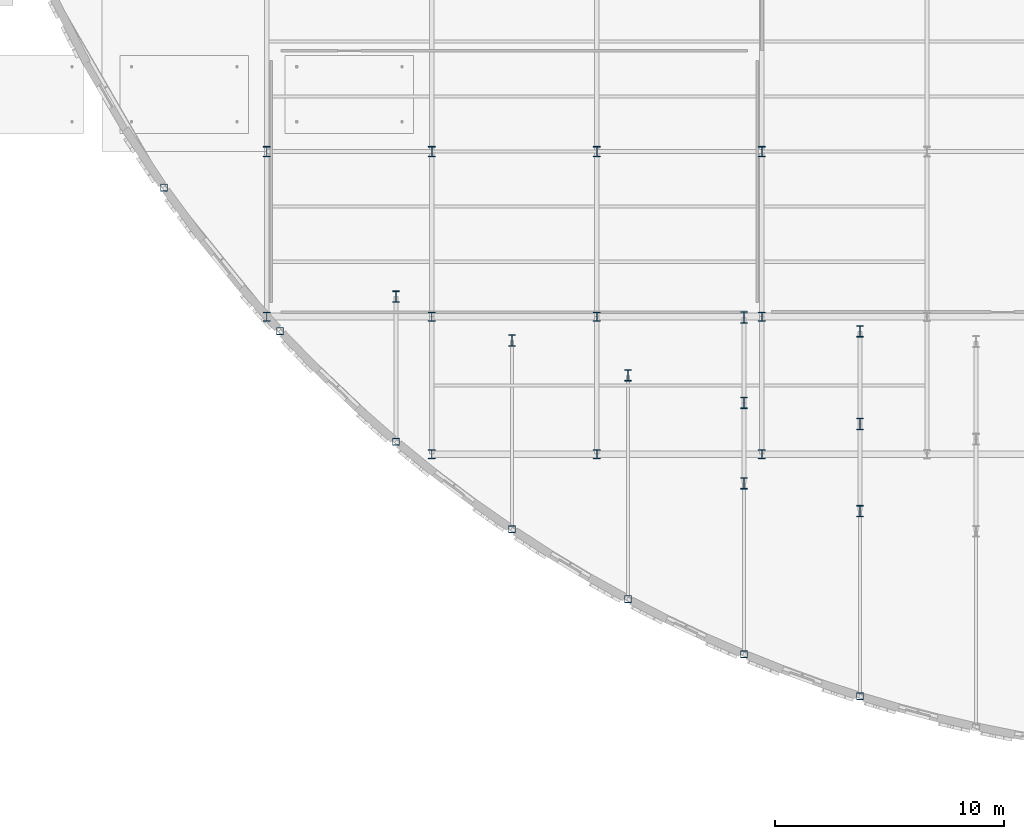
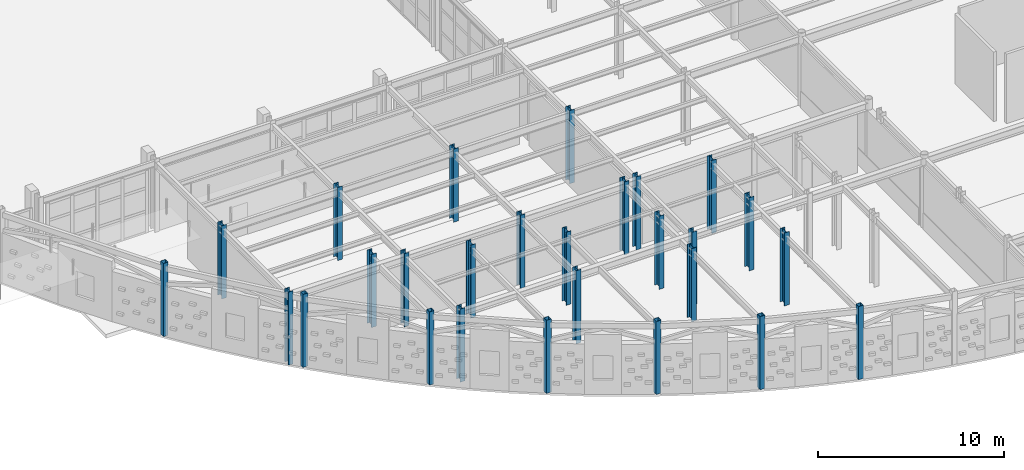
# One storey, part 1 of 83: 27 columns.
"""IFC4 building model written with IfcOpenShell, lengths in metres."""

from ifc_helpers import new_model, si_unit, direction, frame, origin, origin_2d, place, context, subcontext, project, spatial, hollow_rectangle, i_section, extrude, material, material_profile, profile_set, type_object, element, save


model = new_model("IFC4")

# Units and contexts
model_context = context("Model", 3, precision=1e-05, world=origin(), true_north=direction((0.0, 1.0)))
body_context = subcontext(model_context, "Body", "Model", "MODEL_VIEW")
ifc_project = project(units=[si_unit("LENGTHUNIT", "METRE"), si_unit("AREAUNIT", "SQUARE_METRE"), si_unit("VOLUMEUNIT", "CUBIC_METRE"), si_unit("PLANEANGLEUNIT", "RADIAN"), si_unit("MASSUNIT", "GRAM", prefix="KILO")], contexts=[model_context])

# Site, building, storey
site_placement = place(None, origin())
site = spatial("IfcSite", under=ifc_project, at=site_placement, CompositionType="ELEMENT")
building_placement = place(site_placement, origin())
building = spatial("IfcBuilding", under=site, at=building_placement, Name="Solvadek Multi-Sports Hall", CompositionType="ELEMENT")
storey_placement = place(building_placement, origin())
storey = spatial("IfcBuildingStorey", under=building, at=storey_placement, Name="L00", CompositionType="ELEMENT", Elevation=0.0)

# Columns
ifc_material = material(Name="Steel E350 (350 MPa)", Category="steel")
ifc_material_profile_1 = material_profile(ifc_material, hollow_rectangle(XDim=0.300048828125, YDim=0.300048828125, WallThickness=0.012451171875, at=origin_2d()), Name="SHS 300x300x12.5")
ifc_profile_set_1 = profile_set([ifc_material_profile_1], Name="Steel E350 (350 MPa)")
column_type_1 = type_object("IfcColumnType", Name="STR-COL-SHS300", PredefinedType="COLUMN", material=ifc_profile_set_1)
for number, where, z_axis, x_axis, name in (
    (1, (31.51513671875, 11.63232421875, 0.0), (0.0, 0.0, 1.0), (1.0, 0.0, 0.0), "L00 Column C-10 #267"),
    (2, (36.57568359375, 5.37158203125, 0.0), (0.0, 0.0, 1.0), (1.0, 0.0, 0.0), "L00 Column C-10 #268"),
    (3, (41.636474609375, 0.54541015625, 0.0), (0.0, 0.0, 1.0), (1.0, 0.0, 0.0), "L00 Column C-10 #269"),
    (4, (46.697021484375, -3.2783203125, 0.0), (0.0, 0.0, 1.0), (1.0, 0.0, 0.0), "L00 Column C-10 #271"),
    (5, (51.757568359375, -6.323974609375, 0.0), (0.0, 0.0, 1.0), (1.0, 0.0, 0.0), "L00 Column C-10 #273"),
    (6, (56.818115234375, -8.72412109375, 0.0), (0.0, 0.0, 1.0), (1.0, 0.0, 0.0), "L00 Column C-10 #275"),
    (7, (61.87890625, -10.562744140625, 0.0), (0.0, 0.0, 1.0), (1.0, 0.0, 0.0), "L00 Column C-10 #279"),
):
    element("IfcColumn", number, at=place(storey_placement, frame(where, z_axis=z_axis, x_axis=x_axis)), inside=storey, type_object=column_type_1, Name=name, PredefinedType="COLUMN", context=body_context, shape_type="SweptSolid", body=[
        extrude(hollow_rectangle(XDim=0.300048828125, YDim=0.300048828125, WallThickness=0.012451171875, at=origin_2d()), origin(), (0.0, 0.0, 1.0), 4.800048828125),
    ])
ifc_material_profile_2 = material_profile(ifc_material, i_section(OverallWidth=0.300048828125, OverallDepth=0.39990234375, WebThickness=0.013427734375, FlangeThickness=0.02392578125, at=origin_2d()), Name="WPB 400")
ifc_profile_set_2 = profile_set([ifc_material_profile_2], Name="Steel E350 (350 MPa)")
column_type_2 = type_object("IfcColumnType", Name="STR-COL-WPB400", PredefinedType="COLUMN", material=ifc_profile_set_2)
for number, where, z_axis, x_axis, name in (
    (8, (36.0, 6.0, 0.0), (0.0, 0.0, 1.0), (1.0, 0.0, 0.0), "L00 Column C-07 #66"),
    (9, (43.199951171875, 0.0, 0.0), (0.0, 0.0, 1.0), (1.0, 0.0, 0.0), "L00 Column C-07 #81"),
    (10, (43.199951171875, 6.0, 0.0), (0.0, 0.0, 1.0), (1.0, 0.0, 0.0), "L00 Column C-07 #82"),
    (11, (50.39990234375, 0.0, 0.0), (0.0, 0.0, 1.0), (1.0, 0.0, 0.0), "L00 Column C-07 #97"),
    (12, (50.39990234375, 6.0, 0.0), (0.0, 0.0, 1.0), (1.0, 0.0, 0.0), "L00 Column C-07 #98"),
    (13, (57.60009765625, 0.0, 0.0), (0.0, 0.0, 1.0), (1.0, 0.0, 0.0), "L00 Column C-07 #113"),
    (14, (57.60009765625, 6.0, 0.0), (0.0, 0.0, 1.0), (1.0, 0.0, 0.0), "L00 Column C-07 #114"),
):
    element("IfcColumn", number, at=place(storey_placement, frame(where, z_axis=z_axis, x_axis=x_axis)), inside=storey, type_object=column_type_2, Name=name, PredefinedType="COLUMN", context=body_context, shape_type="SweptSolid", body=[
        extrude(i_section(OverallWidth=0.300048828125, OverallDepth=0.39990234375, WebThickness=0.013427734375, FlangeThickness=0.02392578125, at=origin_2d()), origin(), (0.0, 0.0, 1.0), 4.800048828125),
    ])
ifc_material_profile_3 = material_profile(ifc_material, i_section(OverallWidth=0.300048828125, OverallDepth=0.449951171875, WebThickness=0.013916015625, FlangeThickness=0.02587890625, at=origin_2d()), Name="WPB 450")
ifc_profile_set_3 = profile_set([ifc_material_profile_3], Name="Steel E350 (350 MPa)")
column_type_3 = type_object("IfcColumnType", Name="STR-COL-WPB450", PredefinedType="COLUMN", material=ifc_profile_set_3)
for number, where, z_axis, x_axis, name in (
    (15, (36.0, 13.199951171875, 0.0), (0.0, 0.0, 1.0), (1.0, 0.0, 0.0), "L00 Column C-06 #67"),
    (16, (43.199951171875, 13.199951171875, 0.0), (0.0, 0.0, 1.0), (1.0, 0.0, 0.0), "L00 Column C-06 #83"),
    (17, (50.39990234375, 13.199951171875, 0.0), (0.0, 0.0, 1.0), (1.0, 0.0, 0.0), "L00 Column C-06 #99"),
    (18, (57.60009765625, 13.199951171875, 0.0), (0.0, 0.0, 1.0), (1.0, 0.0, 0.0), "L00 Column C-06 #115"),
):
    element("IfcColumn", number, at=place(storey_placement, frame(where, z_axis=z_axis, x_axis=x_axis)), inside=storey, type_object=column_type_3, Name=name, PredefinedType="COLUMN", context=body_context, shape_type="SweptSolid", body=[
        extrude(i_section(OverallWidth=0.300048828125, OverallDepth=0.449951171875, WebThickness=0.013916015625, FlangeThickness=0.02587890625, at=origin_2d()), origin(), (0.0, 0.0, 1.0), 4.800048828125),
    ])
ifc_material_profile_4 = material_profile(ifc_material, i_section(OverallWidth=0.300048828125, OverallDepth=0.5, WebThickness=0.014404296875, FlangeThickness=0.028076171875, at=origin_2d()), Name="WPB 500")
ifc_profile_set_4 = profile_set([ifc_material_profile_4], Name="Steel E350 (350 MPa)")
column_type_4 = type_object("IfcColumnType", Name="STR-COL-WPB500", PredefinedType="COLUMN", material=ifc_profile_set_4)
for number, where, z_axis, x_axis, name in (
    (19, (41.636474609375, 6.87255859375, 0.0), (0.0, 0.0, 1.0), (1.0, 0.0, 0.0), "L00 Column C-05 #270"),
    (20, (46.697021484375, 4.960693359375, 0.0), (0.0, 0.0, 1.0), (1.0, 0.0, 0.0), "L00 Column C-05 #272"),
    (21, (51.757568359375, 3.43798828125, 0.0), (0.0, 0.0, 1.0), (1.0, 0.0, 0.0), "L00 Column C-05 #274"),
    (22, (56.818115234375, 2.23779296875, 0.0), (0.0, 0.0, 1.0), (1.0, 0.0, 0.0), "L00 Column C-05 #276"),
    (23, (56.818115234375, -1.27001953125, 0.0), (0.0, 0.0, 1.0), (1.0, 0.0, 0.0), "L00 Column C-05 #277"),
    (24, (56.818115234375, 5.965087890625, 0.0), (0.0, 0.0, 1.0), (1.0, 0.0, 0.0), "L00 Column C-05 #278"),
    (25, (61.87890625, 1.318603515625, 0.0), (0.0, 0.0, 1.0), (1.0, 0.0, 0.0), "L00 Column C-05 #280"),
    (26, (61.87890625, -2.4833984375, 0.0), (0.0, 0.0, 1.0), (1.0, 0.0, 0.0), "L00 Column C-05 #281"),
    (27, (61.87890625, 5.3583984375, 0.0), (0.0, 0.0, 1.0), (1.0, 0.0, 0.0), "L00 Column C-05 #282"),
):
    element("IfcColumn", number, at=place(storey_placement, frame(where, z_axis=z_axis, x_axis=x_axis)), inside=storey, type_object=column_type_4, Name=name, PredefinedType="COLUMN", context=body_context, shape_type="SweptSolid", body=[
        extrude(i_section(OverallWidth=0.300048828125, OverallDepth=0.5, WebThickness=0.014404296875, FlangeThickness=0.028076171875, at=origin_2d()), origin(), (0.0, 0.0, 1.0), 4.800048828125),
    ])

save(model, "model.ifc")
